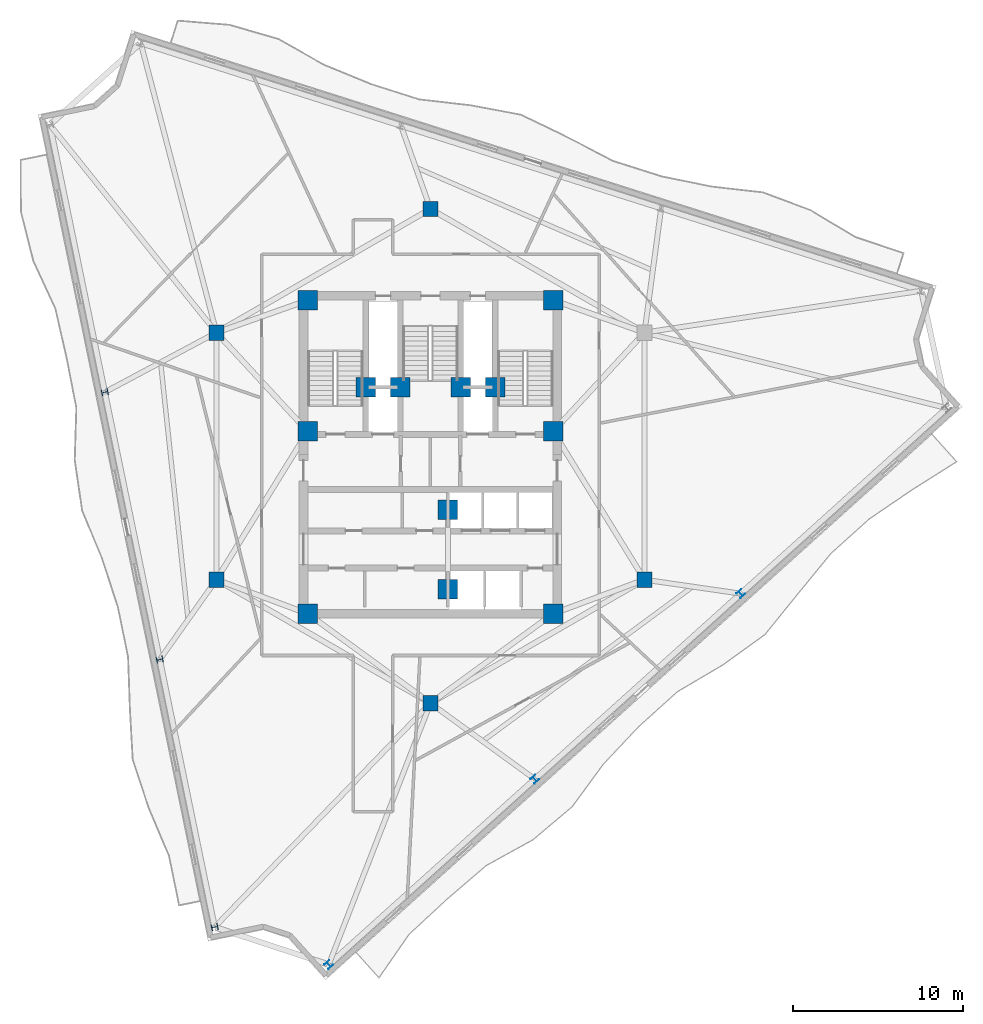
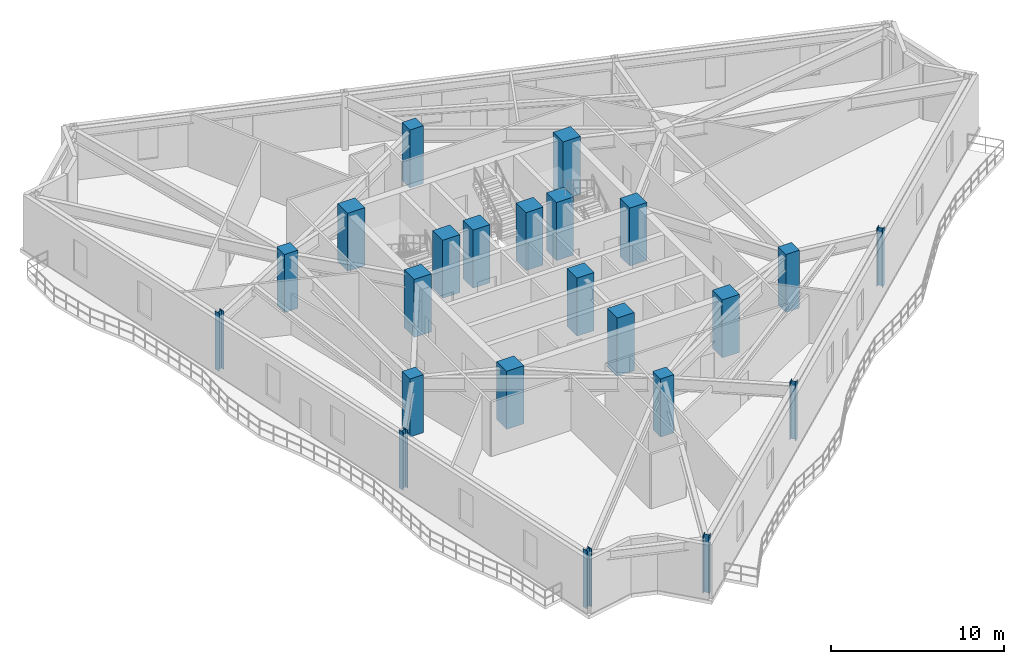
# One storey, part 1 of 12: 23 columns.
"""IFC4 building model written with IfcOpenShell, lengths in metres."""

from ifc_helpers import new_model, si_unit, direction, frame, origin, origin_2d, place, context, subcontext, project, spatial, rectangle, i_section, extrude, material, material_profile, profile_set, type_object, element, save


model = new_model("IFC4")

# Units and contexts
model_context = context("Model", 3, precision=1e-05, world=origin(), true_north=direction((0.0, 1.0)))
body_context = subcontext(model_context, "Body", "Model", "MODEL_VIEW")
ifc_project = project(units=[si_unit("LENGTHUNIT", "METRE"), si_unit("AREAUNIT", "SQUARE_METRE"), si_unit("VOLUMEUNIT", "CUBIC_METRE"), si_unit("PLANEANGLEUNIT", "RADIAN"), si_unit("MASSUNIT", "GRAM", prefix="KILO")], contexts=[model_context])

# Site, building, storey
site_placement = place(None, origin())
site = spatial("IfcSite", under=ifc_project, at=site_placement, CompositionType="ELEMENT")
building_placement = place(site_placement, origin())
building = spatial("IfcBuilding", under=site, at=building_placement, Name="Apsidion Concourse Tower", CompositionType="ELEMENT")
storey_placement = place(building_placement, frame((0.0, 0.0, 240.39990234375)))
storey = spatial("IfcBuildingStorey", under=building, at=storey_placement, Name="L56", CompositionType="ELEMENT", Elevation=240.39990234375)

# Columns
ifc_material_1 = material(Name="Concrete C50/60", Category="concrete")
ifc_material_profile_1 = material_profile(ifc_material_1, rectangle(XDim=1.14990234375, YDim=1.14990234375, at=origin_2d()), Name="RC 1150x1150")
ifc_profile_set_1 = profile_set([ifc_material_profile_1], Name="Concrete C50/60")
column_type_1 = type_object("IfcColumnType", Name="COL-RC-1150", PredefinedType="COLUMN", material=ifc_profile_set_1)
for number, where, z_axis, x_axis, name in (
    (1, (-7.199951171875, -9.25, 0.0), (0.0, 0.0, 1.0), (1.0, 0.0, 0.0), "L56 Core Super-Column SC1"),
    (2, (7.199951171875, -9.25, 0.0), (0.0, 0.0, 1.0), (1.0, 0.0, 0.0), "L56 Core Super-Column SC2"),
    (3, (7.199951171875, 1.449951171875, 0.0), (0.0, 0.0, 1.0), (1.0, 0.0, 0.0), "L56 Core Super-Column SC3"),
    (4, (7.199951171875, 9.14990234375, 0.0), (0.0, 0.0, 1.0), (1.0, 0.0, 0.0), "L56 Core Super-Column SC4"),
    (5, (-7.199951171875, 9.14990234375, 0.0), (0.0, 0.0, 1.0), (1.0, 0.0, 0.0), "L56 Core Super-Column SC5"),
    (6, (-7.199951171875, 1.449951171875, 0.0), (0.0, 0.0, 1.0), (1.0, 0.0, 0.0), "L56 Core Super-Column SC6"),
    (7, (-3.800048828125, 4.050048828125, 0.0), (0.0, 0.0, 1.0), (1.0, 0.0, 0.0), "L56 Core Super-Column CC1"),
    (8, (3.800048828125, 4.050048828125, 0.0), (0.0, 0.0, 1.0), (1.0, 0.0, 0.0), "L56 Core Super-Column CC2"),
    (9, (-1.77490234375, 4.050048828125, 0.0), (0.0, 0.0, 1.0), (1.0, 0.0, 0.0), "L56 Core Super-Column CC3"),
    (10, (1.77490234375, 4.050048828125, 0.0), (0.0, 0.0, 1.0), (1.0, 0.0, 0.0), "L56 Core Super-Column CC4"),
    (11, (1.02490234375, -3.14990234375, 0.0), (0.0, 0.0, 1.0), (1.0, 0.0, 0.0), "L56 Core Super-Column CC5"),
    (12, (1.02490234375, -7.800048828125, 0.0), (0.0, 0.0, 1.0), (1.0, 0.0, 0.0), "L56 Core Super-Column CC6"),
):
    element("IfcColumn", number, at=place(storey_placement, frame(where, z_axis=z_axis, x_axis=x_axis)), inside=storey, type_object=column_type_1, Name=name, PredefinedType="COLUMN", context=body_context, shape_type="SweptSolid", body=[
        extrude(rectangle(XDim=1.14990234375, YDim=1.14990234375, at=origin_2d()), origin(), (0.0, 0.0, 1.0), 4.10009765625),
    ])
ifc_material_profile_2 = material_profile(ifc_material_1, rectangle(XDim=0.89990234375, YDim=0.89990234375, at=origin_2d()), Name="RC 900x900")
ifc_profile_set_2 = profile_set([ifc_material_profile_2], Name="Concrete C50/60")
column_type_2 = type_object("IfcColumnType", Name="COL-RC-900", PredefinedType="COLUMN", material=ifc_profile_set_2)
for number, where, z_axis, x_axis, name in (
    (13, (-12.56005859375, -7.25, 0.0), (0.0, 0.0, 1.0), (1.0, 0.0, 0.0), "L56 Interior Spine Column IC1"),
    (14, (12.56005859375, -7.25, 0.0), (0.0, 0.0, 1.0), (1.0, 0.0, 0.0), "L56 Interior Spine Column IC2"),
    (15, (0.0, 14.5, 0.0), (0.0, 0.0, 1.0), (1.0, 0.0, 0.0), "L56 Interior Spine Column IC4"),
    (16, (-12.56005859375, 7.25, 0.0), (0.0, 0.0, 1.0), (1.0, 0.0, 0.0), "L56 Interior Spine Column IC5"),
    (17, (0.0, -14.5, 0.0), (0.0, 0.0, 1.0), (1.0, 0.0, 0.0), "L56 Interior Spine Column IC6"),
):
    element("IfcColumn", number, at=place(storey_placement, frame(where, z_axis=z_axis, x_axis=x_axis)), inside=storey, type_object=column_type_2, Name=name, PredefinedType="COLUMN", context=body_context, shape_type="SweptSolid", body=[
        extrude(rectangle(XDim=0.89990234375, YDim=0.89990234375, at=origin_2d()), origin(), (0.0, 0.0, 1.0), 4.10009765625),
    ])
ifc_material_2 = material(Name="Structural steel ASTM A992 Grade 50", Category="steel")
ifc_material_profile_3 = material_profile(ifc_material_2, i_section(OverallWidth=0.373046875, OverallDepth=0.373046875, WebThickness=0.016357421875, FlangeThickness=0.026123046875, at=origin_2d()), Name="W14X132")
ifc_profile_set_3 = profile_set([ifc_material_profile_3], Name="Structural steel ASTM A992 Grade 50")
column_type_3 = type_object("IfcColumnType", Name="COL-W14-132", PredefinedType="COLUMN", material=ifc_profile_set_3)
for number, where, z_axis, x_axis, name in (
    (18, (-19.11279296875, 3.75146484375, 0.0), (0.0, 0.0, 1.0), (-0.201248886216, 0.979540139962, 0.0), "L56 Rotated Perimeter Column PC02"),
    (19, (-15.888671875, -11.94384765625, 0.0), (0.0, 0.0, 1.0), (-0.201248886216, 0.979540139962, 0.0), "L56 Rotated Perimeter Column PC03"),
    (20, (-12.664306640625, -27.63916015625, 0.0), (0.0, 0.0, 1.0), (-0.201248886216, 0.979540139962, 0.0), "L56 Rotated Perimeter Column PC04"),
    (21, (-5.967529296875, -29.840087890625, 0.0), (0.0, 0.0, 1.0), (0.743144825477, 0.669130606359, 0.0), "L56 Rotated Perimeter Column PC05"),
    (22, (6.121826171875, -18.954833984375, 0.0), (0.0, 0.0, 1.0), (0.743144825477, 0.669130606359, 0.0), "L56 Rotated Perimeter Column PC06"),
    (23, (18.211181640625, -8.069580078125, 0.0), (0.0, 0.0, 1.0), (0.743144825477, 0.669130606359, 0.0), "L56 Rotated Perimeter Column PC07"),
):
    element("IfcColumn", number, at=place(storey_placement, frame(where, z_axis=z_axis, x_axis=x_axis)), inside=storey, type_object=column_type_3, Name=name, PredefinedType="COLUMN", context=body_context, shape_type="SweptSolid", body=[
        extrude(i_section(OverallWidth=0.373046875, OverallDepth=0.373046875, WebThickness=0.016357421875, FlangeThickness=0.026123046875, at=origin_2d()), origin(), (0.0, 0.0, 1.0), 4.10009765625),
    ])

save(model, "model.ifc")
